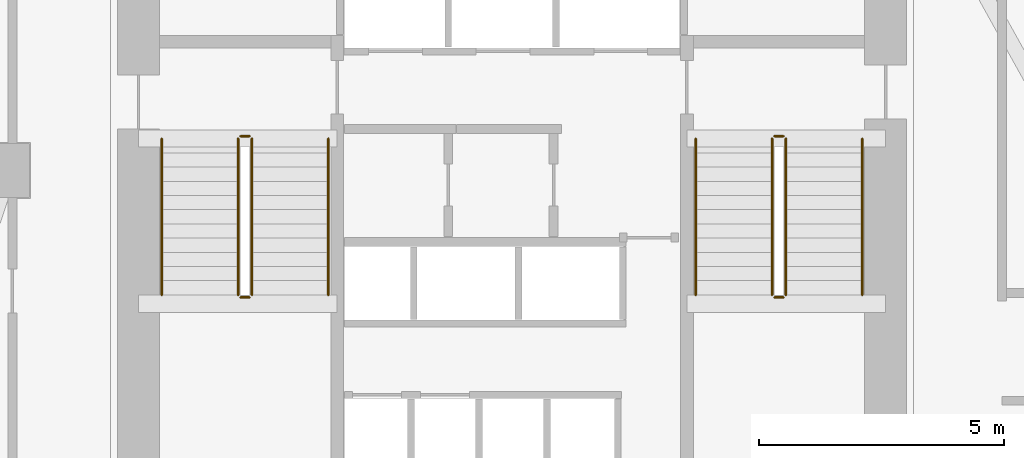
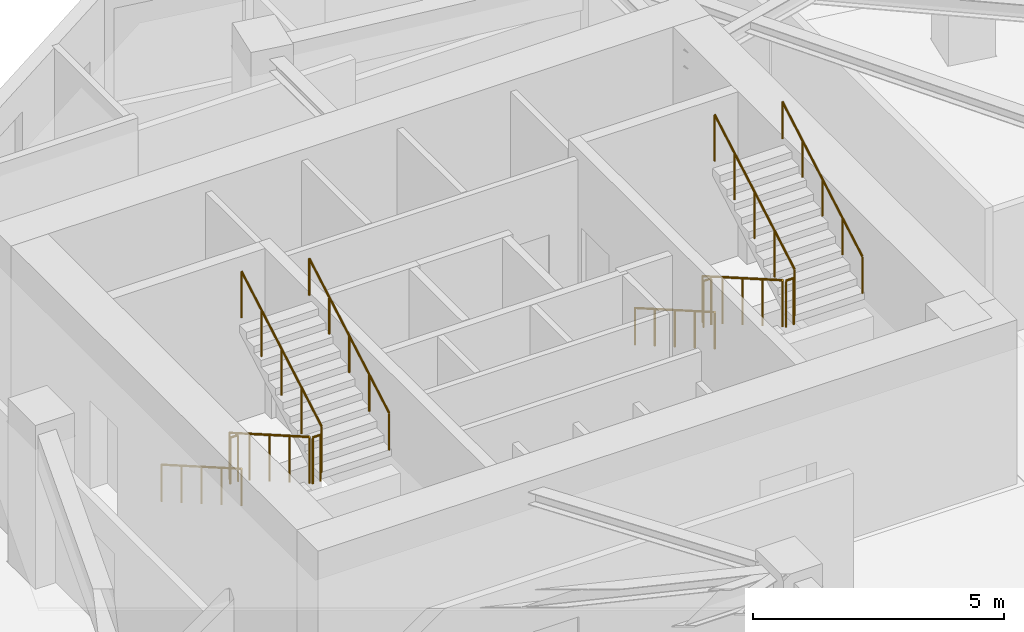
# One storey, part 10 of 11: 12 railings.
"""IFC4 building model written with IfcOpenShell, lengths in metres."""

from ifc_helpers import new_model, si_unit, direction, frame, origin, origin_2d, place, context, subcontext, project, spatial, circle, extrude, material, type_object, element, save


model = new_model("IFC4")

# Units and contexts
model_context = context("Model", 3, precision=1e-05, world=origin(), true_north=direction((0.0, 1.0)))
body_context = subcontext(model_context, "Body", "Model", "MODEL_VIEW")
ifc_project = project(units=[si_unit("LENGTHUNIT", "METRE"), si_unit("AREAUNIT", "SQUARE_METRE"), si_unit("VOLUMEUNIT", "CUBIC_METRE"), si_unit("PLANEANGLEUNIT", "RADIAN"), si_unit("MASSUNIT", "GRAM", prefix="KILO")], contexts=[model_context])

# Site, building, storey
site_placement = place(None, origin())
site = spatial("IfcSite", under=ifc_project, at=site_placement, CompositionType="ELEMENT")
building_placement = place(site_placement, origin())
building = spatial("IfcBuilding", under=site, at=building_placement, Name="Calvemar Wedge Station Tower", CompositionType="ELEMENT")
storey_placement = place(building_placement, frame((0.0, 0.0, 35.0)))
storey = spatial("IfcBuildingStorey", under=building, at=storey_placement, Name="L08", CompositionType="ELEMENT", Elevation=35.0)

# Railings
ifc_material_1 = material(Name="Stainless steel AISI 316L", Category="steel")
railing_type_1 = type_object("IfcRailingType", Name="RL-HANDRAIL-920", PredefinedType="HANDRAIL", material=ifc_material_1)
railing_1_placement = place(storey_placement, frame((16.64990234375, 41.14990234375, 0.166748046875)))
element("IfcRailing", 1, at=railing_1_placement, inside=storey, type_object=railing_type_1, Name="L08 ST-C1 stair handrail 1", PredefinedType="HANDRAIL", context=body_context, shape_type="SweptSolid", body=[
    extrude(circle(Radius=0.02392578125, at=origin_2d()), frame((0.0, 0.0, 0.89599609375), z_axis=(0.0, -0.867019545617, 0.498274128887), x_axis=(1.0, 0.0, 0.0)), (0.0, 0.0, 1.0), 3.67919921875),
    extrude(circle(Radius=0.02099609375, at=origin_2d()), origin(), (0.0, 0.0, 1.0), 0.871826171875),
    extrude(circle(Radius=0.02099609375, at=origin_2d()), frame((0.0, -0.79736328125, 0.458251953125)), (0.0, 0.0, 1.0), 0.871826171875),
    extrude(circle(Radius=0.02099609375, at=origin_2d()), frame((0.0, -1.594970703125, 0.91650390625)), (0.0, 0.0, 1.0), 0.871826171875),
    extrude(circle(Radius=0.02099609375, at=origin_2d()), frame((0.0, -2.392578125, 1.375)), (0.0, 0.0, 1.0), 0.871826171875),
    extrude(circle(Radius=0.02099609375, at=origin_2d()), frame((0.0, -3.18994140625, 1.833251953125)), (0.0, 0.0, 1.0), 0.871826171875),
])
railing_2_placement = place(storey_placement, frame((20.050048828125, 37.9599609375, 2.166748046875)))
element("IfcRailing", 2, at=railing_2_placement, inside=storey, type_object=railing_type_1, Name="L08 ST-C1 stair handrail 2", PredefinedType="HANDRAIL", context=body_context, shape_type="SweptSolid", body=[
    extrude(circle(Radius=0.02392578125, at=origin_2d()), frame((0.0, 0.0, 0.89599609375), z_axis=(0.0, 0.867019545617, 0.498274128887), x_axis=(-1.0, 0.0, 0.0)), (0.0, 0.0, 1.0), 3.67919921875),
    extrude(circle(Radius=0.02099609375, at=origin_2d()), origin(), (0.0, 0.0, 1.0), 0.871826171875),
    extrude(circle(Radius=0.02099609375, at=origin_2d()), frame((0.0, 0.79736328125, 0.458251953125)), (0.0, 0.0, 1.0), 0.871826171875),
    extrude(circle(Radius=0.02099609375, at=origin_2d()), frame((0.0, 1.594970703125, 0.91650390625)), (0.0, 0.0, 1.0), 0.871826171875),
    extrude(circle(Radius=0.02099609375, at=origin_2d()), frame((0.0, 2.392578125, 1.375)), (0.0, 0.0, 1.0), 0.871826171875),
    extrude(circle(Radius=0.02099609375, at=origin_2d()), frame((0.0, 3.18994140625, 1.833251953125)), (0.0, 0.0, 1.0), 0.871826171875),
])
railing_3_placement = place(storey_placement, frame((27.550048828125, 41.14990234375, 0.166748046875)))
element("IfcRailing", 3, at=railing_3_placement, inside=storey, type_object=railing_type_1, Name="L08 ST-C2 stair handrail 1", PredefinedType="HANDRAIL", context=body_context, shape_type="SweptSolid", body=[
    extrude(circle(Radius=0.02392578125, at=origin_2d()), frame((0.0, 0.0, 0.89599609375), z_axis=(0.0, -0.867019545617, 0.498274128887), x_axis=(1.0, 0.0, 0.0)), (0.0, 0.0, 1.0), 3.67919921875),
    extrude(circle(Radius=0.02099609375, at=origin_2d()), origin(), (0.0, 0.0, 1.0), 0.871826171875),
    extrude(circle(Radius=0.02099609375, at=origin_2d()), frame((0.0, -0.79736328125, 0.458251953125)), (0.0, 0.0, 1.0), 0.871826171875),
    extrude(circle(Radius=0.02099609375, at=origin_2d()), frame((0.0, -1.594970703125, 0.91650390625)), (0.0, 0.0, 1.0), 0.871826171875),
    extrude(circle(Radius=0.02099609375, at=origin_2d()), frame((0.0, -2.392578125, 1.375)), (0.0, 0.0, 1.0), 0.871826171875),
    extrude(circle(Radius=0.02099609375, at=origin_2d()), frame((0.0, -3.18994140625, 1.833251953125)), (0.0, 0.0, 1.0), 0.871826171875),
])
railing_4_placement = place(storey_placement, frame((30.949951171875, 37.9599609375, 2.166748046875)))
element("IfcRailing", 4, at=railing_4_placement, inside=storey, type_object=railing_type_1, Name="L08 ST-C2 stair handrail 2", PredefinedType="HANDRAIL", context=body_context, shape_type="SweptSolid", body=[
    extrude(circle(Radius=0.02392578125, at=origin_2d()), frame((0.0, 0.0, 0.89599609375), z_axis=(0.0, 0.867019545617, 0.498274128887), x_axis=(-1.0, 0.0, 0.0)), (0.0, 0.0, 1.0), 3.67919921875),
    extrude(circle(Radius=0.02099609375, at=origin_2d()), origin(), (0.0, 0.0, 1.0), 0.871826171875),
    extrude(circle(Radius=0.02099609375, at=origin_2d()), frame((0.0, 0.79736328125, 0.458251953125)), (0.0, 0.0, 1.0), 0.871826171875),
    extrude(circle(Radius=0.02099609375, at=origin_2d()), frame((0.0, 1.594970703125, 0.91650390625)), (0.0, 0.0, 1.0), 0.871826171875),
    extrude(circle(Radius=0.02099609375, at=origin_2d()), frame((0.0, 2.392578125, 1.375)), (0.0, 0.0, 1.0), 0.871826171875),
    extrude(circle(Radius=0.02099609375, at=origin_2d()), frame((0.0, 3.18994140625, 1.833251953125)), (0.0, 0.0, 1.0), 0.871826171875),
])
ifc_material_2 = material(Name="Painted steel guardrail ASTM A500 Grade C", Category="steel")
railing_type_2 = type_object("IfcRailingType", Name="RL-STAIR-GUARD-1150", PredefinedType="GUARDRAIL", material=ifc_material_2)
railing_5_placement = place(storey_placement, frame((18.2099609375, 41.14990234375, 0.166748046875)))
element("IfcRailing", 5, at=railing_5_placement, inside=storey, type_object=railing_type_2, Name="L08 ST-C1 stair guard 1", PredefinedType="GUARDRAIL", context=body_context, shape_type="SweptSolid", body=[
    extrude(circle(Radius=0.02392578125, at=origin_2d()), frame((0.0, 0.0, 1.1259765625), z_axis=(0.0, -0.867019545617, 0.498274128887), x_axis=(1.0, 0.0, 0.0)), (0.0, 0.0, 1.0), 3.67919921875),
    extrude(circle(Radius=0.02099609375, at=origin_2d()), origin(), (0.0, 0.0, 1.0), 1.101806640625),
    extrude(circle(Radius=0.02099609375, at=origin_2d()), frame((0.0, -0.79736328125, 0.458251953125)), (0.0, 0.0, 1.0), 1.101806640625),
    extrude(circle(Radius=0.02099609375, at=origin_2d()), frame((0.0, -1.594970703125, 0.91650390625)), (0.0, 0.0, 1.0), 1.101806640625),
    extrude(circle(Radius=0.02099609375, at=origin_2d()), frame((0.0, -2.392578125, 1.375)), (0.0, 0.0, 1.0), 1.101806640625),
    extrude(circle(Radius=0.02099609375, at=origin_2d()), frame((0.0, -3.18994140625, 1.833251953125)), (0.0, 0.0, 1.0), 1.101806640625),
])
railing_6_placement = place(storey_placement, frame((18.260009765625, 37.909912109375, 2.0)))
element("IfcRailing", 6, at=railing_6_placement, inside=storey, type_object=railing_type_2, Name="L08 ST-C1 stair guard 2", PredefinedType="GUARDRAIL", context=body_context, shape_type="SweptSolid", body=[
    extrude(circle(Radius=0.02392578125, at=origin_2d()), frame((0.0, 0.0, 1.1259765625), z_axis=(1.0, 0.0, 0.0), x_axis=(0.0, 1.0, 0.0)), (0.0, 0.0, 1.0), 0.179931640625),
    extrude(circle(Radius=0.02099609375, at=origin_2d()), origin(), (0.0, 0.0, 1.0), 1.101806640625),
    extrude(circle(Radius=0.02099609375, at=origin_2d()), frame((0.179931640625, 0.0, 0.0)), (0.0, 0.0, 1.0), 1.101806640625),
])
railing_7_placement = place(storey_placement, frame((18.489990234375, 37.9599609375, 2.166748046875)))
element("IfcRailing", 7, at=railing_7_placement, inside=storey, type_object=railing_type_2, Name="L08 ST-C1 stair guard 3", PredefinedType="GUARDRAIL", context=body_context, shape_type="SweptSolid", body=[
    extrude(circle(Radius=0.02392578125, at=origin_2d()), frame((0.0, 0.0, 1.1259765625), z_axis=(0.0, 0.867019545617, 0.498274128887), x_axis=(-1.0, 0.0, 0.0)), (0.0, 0.0, 1.0), 3.67919921875),
    extrude(circle(Radius=0.02099609375, at=origin_2d()), origin(), (0.0, 0.0, 1.0), 1.101806640625),
    extrude(circle(Radius=0.02099609375, at=origin_2d()), frame((0.0, 0.79736328125, 0.458251953125)), (0.0, 0.0, 1.0), 1.101806640625),
    extrude(circle(Radius=0.02099609375, at=origin_2d()), frame((0.0, 1.594970703125, 0.91650390625)), (0.0, 0.0, 1.0), 1.101806640625),
    extrude(circle(Radius=0.02099609375, at=origin_2d()), frame((0.0, 2.392578125, 1.375)), (0.0, 0.0, 1.0), 1.101806640625),
    extrude(circle(Radius=0.02099609375, at=origin_2d()), frame((0.0, 3.18994140625, 1.833251953125)), (0.0, 0.0, 1.0), 1.101806640625),
])
railing_8_placement = place(storey_placement, frame((18.260009765625, 41.199951171875, 0.0)))
element("IfcRailing", 8, at=railing_8_placement, inside=storey, type_object=railing_type_2, Name="L08 ST-C1 stair guard 4", PredefinedType="GUARDRAIL", context=body_context, shape_type="SweptSolid", body=[
    extrude(circle(Radius=0.02392578125, at=origin_2d()), frame((0.0, 0.0, 1.1259765625), z_axis=(1.0, 0.0, 0.0), x_axis=(0.0, 1.0, 0.0)), (0.0, 0.0, 1.0), 0.179931640625),
    extrude(circle(Radius=0.02099609375, at=origin_2d()), origin(), (0.0, 0.0, 1.0), 1.101806640625),
    extrude(circle(Radius=0.02099609375, at=origin_2d()), frame((0.179931640625, 0.0, 0.0)), (0.0, 0.0, 1.0), 1.101806640625),
])
railing_9_placement = place(storey_placement, frame((29.110107421875, 41.14990234375, 0.166748046875)))
element("IfcRailing", 9, at=railing_9_placement, inside=storey, type_object=railing_type_2, Name="L08 ST-C2 stair guard 1", PredefinedType="GUARDRAIL", context=body_context, shape_type="SweptSolid", body=[
    extrude(circle(Radius=0.02392578125, at=origin_2d()), frame((0.0, 0.0, 1.1259765625), z_axis=(0.0, -0.867019545617, 0.498274128887), x_axis=(1.0, 0.0, 0.0)), (0.0, 0.0, 1.0), 3.67919921875),
    extrude(circle(Radius=0.02099609375, at=origin_2d()), origin(), (0.0, 0.0, 1.0), 1.101806640625),
    extrude(circle(Radius=0.02099609375, at=origin_2d()), frame((0.0, -0.79736328125, 0.458251953125)), (0.0, 0.0, 1.0), 1.101806640625),
    extrude(circle(Radius=0.02099609375, at=origin_2d()), frame((0.0, -1.594970703125, 0.91650390625)), (0.0, 0.0, 1.0), 1.101806640625),
    extrude(circle(Radius=0.02099609375, at=origin_2d()), frame((0.0, -2.392578125, 1.375)), (0.0, 0.0, 1.0), 1.101806640625),
    extrude(circle(Radius=0.02099609375, at=origin_2d()), frame((0.0, -3.18994140625, 1.833251953125)), (0.0, 0.0, 1.0), 1.101806640625),
])
railing_10_placement = place(storey_placement, frame((29.159912109375, 37.909912109375, 2.0)))
element("IfcRailing", 10, at=railing_10_placement, inside=storey, type_object=railing_type_2, Name="L08 ST-C2 stair guard 2", PredefinedType="GUARDRAIL", context=body_context, shape_type="SweptSolid", body=[
    extrude(circle(Radius=0.02392578125, at=origin_2d()), frame((0.0, 0.0, 1.1259765625), z_axis=(1.0, 0.0, 0.0), x_axis=(0.0, 1.0, 0.0)), (0.0, 0.0, 1.0), 0.18017578125),
    extrude(circle(Radius=0.02099609375, at=origin_2d()), origin(), (0.0, 0.0, 1.0), 1.101806640625),
    extrude(circle(Radius=0.02099609375, at=origin_2d()), frame((0.18017578125, 0.0, 0.0)), (0.0, 0.0, 1.0), 1.101806640625),
])
railing_11_placement = place(storey_placement, frame((29.389892578125, 37.9599609375, 2.166748046875)))
element("IfcRailing", 11, at=railing_11_placement, inside=storey, type_object=railing_type_2, Name="L08 ST-C2 stair guard 3", PredefinedType="GUARDRAIL", context=body_context, shape_type="SweptSolid", body=[
    extrude(circle(Radius=0.02392578125, at=origin_2d()), frame((0.0, 0.0, 1.1259765625), z_axis=(0.0, 0.867019545617, 0.498274128887), x_axis=(-1.0, 0.0, 0.0)), (0.0, 0.0, 1.0), 3.67919921875),
    extrude(circle(Radius=0.02099609375, at=origin_2d()), origin(), (0.0, 0.0, 1.0), 1.101806640625),
    extrude(circle(Radius=0.02099609375, at=origin_2d()), frame((0.0, 0.79736328125, 0.458251953125)), (0.0, 0.0, 1.0), 1.101806640625),
    extrude(circle(Radius=0.02099609375, at=origin_2d()), frame((0.0, 1.594970703125, 0.91650390625)), (0.0, 0.0, 1.0), 1.101806640625),
    extrude(circle(Radius=0.02099609375, at=origin_2d()), frame((0.0, 2.392578125, 1.375)), (0.0, 0.0, 1.0), 1.101806640625),
    extrude(circle(Radius=0.02099609375, at=origin_2d()), frame((0.0, 3.18994140625, 1.833251953125)), (0.0, 0.0, 1.0), 1.101806640625),
])
railing_12_placement = place(storey_placement, frame((29.159912109375, 41.199951171875, 0.0)))
element("IfcRailing", 12, at=railing_12_placement, inside=storey, type_object=railing_type_2, Name="L08 ST-C2 stair guard 4", PredefinedType="GUARDRAIL", context=body_context, shape_type="SweptSolid", body=[
    extrude(circle(Radius=0.02392578125, at=origin_2d()), frame((0.0, 0.0, 1.1259765625), z_axis=(1.0, 0.0, 0.0), x_axis=(0.0, 1.0, 0.0)), (0.0, 0.0, 1.0), 0.18017578125),
    extrude(circle(Radius=0.02099609375, at=origin_2d()), origin(), (0.0, 0.0, 1.0), 1.101806640625),
    extrude(circle(Radius=0.02099609375, at=origin_2d()), frame((0.18017578125, 0.0, 0.0)), (0.0, 0.0, 1.0), 1.101806640625),
])

save(model, "model.ifc")
